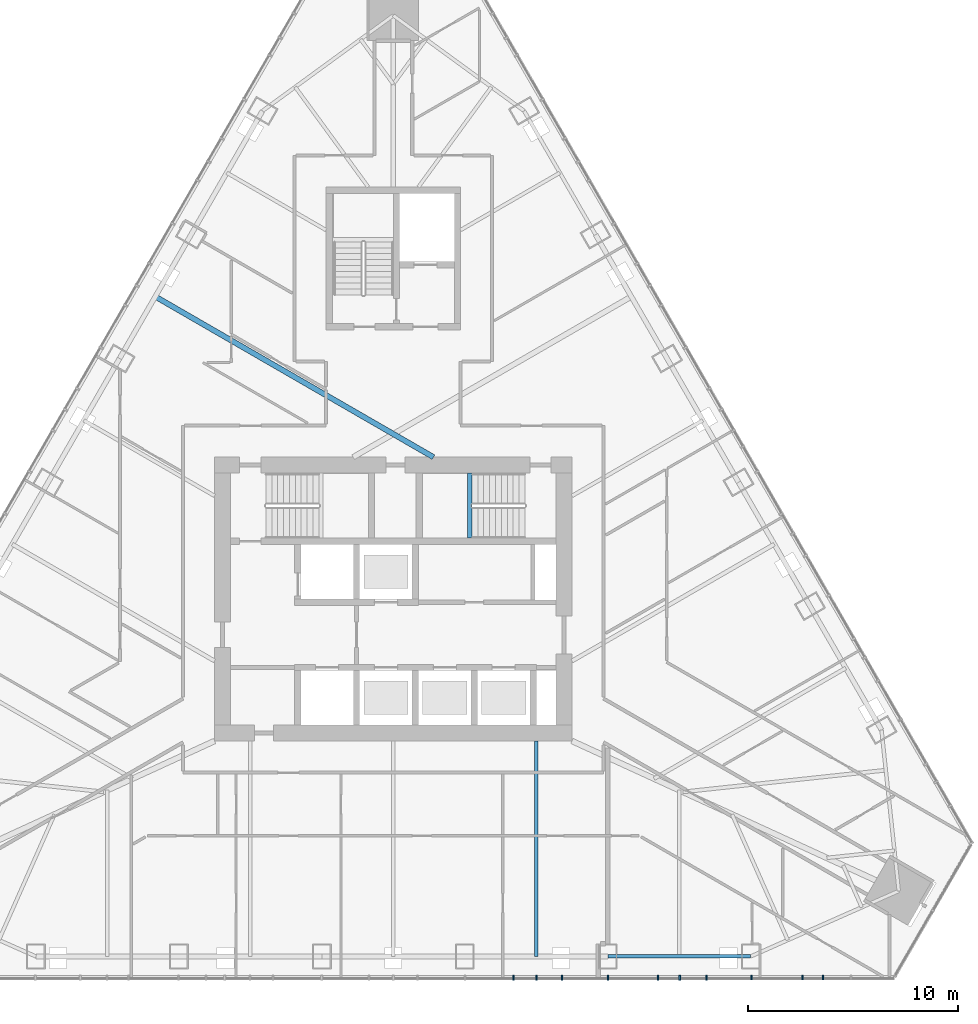
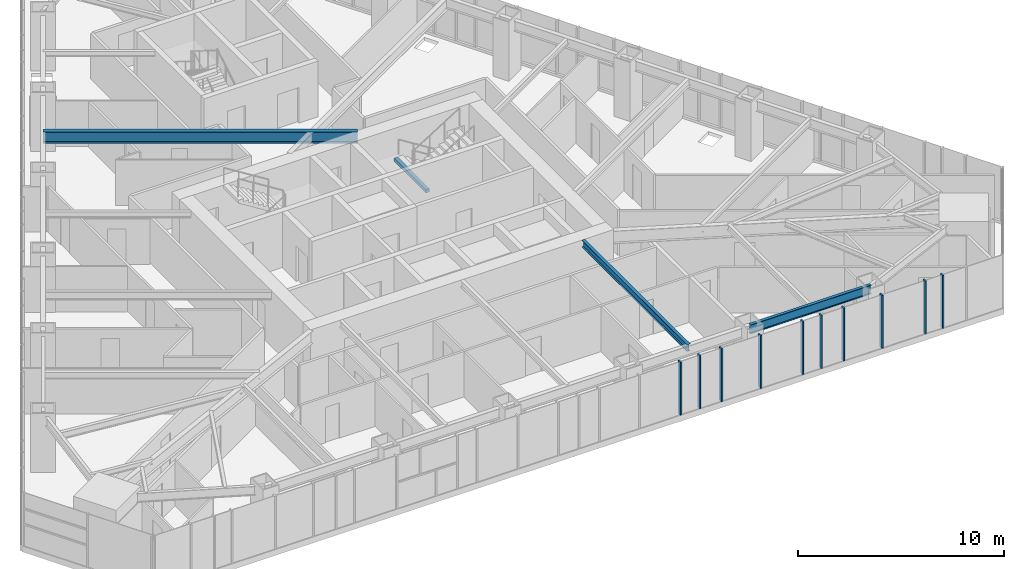
# One storey, part 6 of 19: 10 members, 4 beams, 1 element without a shape of its own.
"""IFC4 building model written with IfcOpenShell, lengths in metres."""

from ifc_helpers import new_model, si_unit, direction, frame, origin, origin_2d, place, context, subcontext, project, spatial, rectangle, i_section, extrude, material, layer, layer_set, material_profile, profile_set, type_object, element, aggregate, save


model = new_model("IFC4")

# Units and contexts
model_context = context("Model", 3, precision=1e-05, world=origin(), true_north=direction((0.0, 1.0)))
body_context = subcontext(model_context, "Body", "Model", "MODEL_VIEW")
ifc_project = project(units=[si_unit("LENGTHUNIT", "METRE"), si_unit("AREAUNIT", "SQUARE_METRE"), si_unit("VOLUMEUNIT", "CUBIC_METRE"), si_unit("PLANEANGLEUNIT", "RADIAN"), si_unit("MASSUNIT", "GRAM", prefix="KILO")], contexts=[model_context])

# Site, building, storey
site_placement = place(None, origin())
site = spatial("IfcSite", under=ifc_project, at=site_placement, CompositionType="ELEMENT")
building_placement = place(site_placement, origin())
building = spatial("IfcBuilding", under=site, at=building_placement, Name="Firuza Gate Tower and Library", CompositionType="ELEMENT")
storey_placement = place(building_placement, frame((0.0, 0.0, 256.60009765625)))
storey = spatial("IfcBuildingStorey", under=building, at=storey_placement, Name="L60", CompositionType="ELEMENT", Elevation=256.60009765625)

# Curtain wall, members
ifc_material_1 = material(Name="Aluminium 6063-T6", Category="aluminium")
ifc_layer = layer(ifc_material_1, 0.14990234375)
ifc_layer_set = layer_set([ifc_layer], Name="Unitised curtain wall, residences")
curtain_wall_type = type_object("IfcCurtainWallType", Name="Unitised curtain wall, residences", PredefinedType="NOTDEFINED", material=ifc_layer_set)
curtain_wall_placement = place(storey_placement, origin())
curtain_wall = element("IfcCurtainWall", 1, at=curtain_wall_placement, inside=storey, type_object=curtain_wall_type, Name="CW3 L60 S face", PredefinedType="NOTDEFINED")
ifc_material_2 = material(Name="Aluminium 6063-T6", Category="aluminium")
ifc_material_profile_1 = material_profile(ifc_material_2, rectangle(XDim=0.219970703125, YDim=0.080078125, at=origin_2d()))
ifc_profile_set_1 = profile_set([ifc_material_profile_1], Name="Aluminium 6063-T6")
member_type = type_object("IfcMemberType", Name="Curtain wall mullion 80x220", PredefinedType="MULLION", material=ifc_profile_set_1)
member_1_placement = place(storey_placement, frame((81.812255859375, 56.9921875, 0.14990234375), z_axis=(0.0, 0.0, 1.0), x_axis=(0.0, 1.0, 0.0)))
member_1 = element("IfcMember", 2, at=member_1_placement, type_object=member_type, Name="Mullion", PredefinedType="MULLION", context=body_context, shape_type="SweptSolid", body=[
    extrude(rectangle(XDim=0.219970703125, YDim=0.080078125, at=origin_2d()), origin(), (0.0, 0.0, 1.0), 3.14990234375),
])
member_2_placement = place(storey_placement, frame((85.218505859375, 56.9921875, 0.14990234375), z_axis=(0.0, 0.0, 1.0), x_axis=(0.0, 1.0, 0.0)))
member_2 = element("IfcMember", 3, at=member_2_placement, type_object=member_type, Name="Mullion", PredefinedType="MULLION", context=body_context, shape_type="SweptSolid", body=[
    extrude(rectangle(XDim=0.219970703125, YDim=0.080078125, at=origin_2d()), origin(), (0.0, 0.0, 1.0), 3.14990234375),
])
member_3_placement = place(storey_placement, frame((88.624755859375, 56.9921875, 0.14990234375), z_axis=(0.0, 0.0, 1.0), x_axis=(0.0, 1.0, 0.0)))
member_3 = element("IfcMember", 4, at=member_3_placement, type_object=member_type, Name="Mullion", PredefinedType="MULLION", context=body_context, shape_type="SweptSolid", body=[
    extrude(rectangle(XDim=0.219970703125, YDim=0.080078125, at=origin_2d()), origin(), (0.0, 0.0, 1.0), 3.14990234375),
])
member_4_placement = place(storey_placement, frame((92.031005859375, 56.9921875, 0.14990234375), z_axis=(0.0, 0.0, 1.0), x_axis=(0.0, 1.0, 0.0)))
member_4 = element("IfcMember", 5, at=member_4_placement, type_object=member_type, Name="Mullion", PredefinedType="MULLION", context=body_context, shape_type="SweptSolid", body=[
    extrude(rectangle(XDim=0.219970703125, YDim=0.080078125, at=origin_2d()), origin(), (0.0, 0.0, 1.0), 3.14990234375),
])
member_5_placement = place(storey_placement, frame((95.43701171875, 56.9921875, 0.14990234375), z_axis=(0.0, 0.0, 1.0), x_axis=(0.0, 1.0, 0.0)))
member_5 = element("IfcMember", 6, at=member_5_placement, type_object=member_type, Name="Mullion", PredefinedType="MULLION", context=body_context, shape_type="SweptSolid", body=[
    extrude(rectangle(XDim=0.219970703125, YDim=0.080078125, at=origin_2d()), origin(), (0.0, 0.0, 1.0), 3.14990234375),
])
member_6_placement = place(storey_placement, frame((80.7216796875, 56.9921875, 0.14990234375), z_axis=(0.0, 0.0, 1.0), x_axis=(0.0, 1.0, 0.0)))
member_6 = element("IfcMember", 7, at=member_6_placement, type_object=member_type, Name="Mullion", PredefinedType="MULLION", context=body_context, shape_type="SweptSolid", body=[
    extrude(rectangle(XDim=0.219970703125, YDim=0.080078125, at=origin_2d()), origin(), (0.0, 0.0, 1.0), 3.14990234375),
])
member_7_placement = place(storey_placement, frame((83.021240234375, 56.9921875, 0.14990234375), z_axis=(0.0, 0.0, 1.0), x_axis=(0.0, 1.0, 0.0)))
member_7 = element("IfcMember", 8, at=member_7_placement, type_object=member_type, Name="Mullion", PredefinedType="MULLION", context=body_context, shape_type="SweptSolid", body=[
    extrude(rectangle(XDim=0.219970703125, YDim=0.080078125, at=origin_2d()), origin(), (0.0, 0.0, 1.0), 3.14990234375),
])
member_8_placement = place(storey_placement, frame((87.593017578125, 56.9921875, 0.14990234375), z_axis=(0.0, 0.0, 1.0), x_axis=(0.0, 1.0, 0.0)))
member_8 = element("IfcMember", 9, at=member_8_placement, type_object=member_type, Name="Mullion", PredefinedType="MULLION", context=body_context, shape_type="SweptSolid", body=[
    extrude(rectangle(XDim=0.219970703125, YDim=0.080078125, at=origin_2d()), origin(), (0.0, 0.0, 1.0), 3.14990234375),
])
member_9_placement = place(storey_placement, frame((89.892578125, 56.9921875, 0.14990234375), z_axis=(0.0, 0.0, 1.0), x_axis=(0.0, 1.0, 0.0)))
member_9 = element("IfcMember", 10, at=member_9_placement, type_object=member_type, Name="Mullion", PredefinedType="MULLION", context=body_context, shape_type="SweptSolid", body=[
    extrude(rectangle(XDim=0.219970703125, YDim=0.080078125, at=origin_2d()), origin(), (0.0, 0.0, 1.0), 3.14990234375),
])
member_10_placement = place(storey_placement, frame((94.464599609375, 56.9921875, 0.14990234375), z_axis=(0.0, 0.0, 1.0), x_axis=(0.0, 1.0, 0.0)))
member_10 = element("IfcMember", 11, at=member_10_placement, type_object=member_type, Name="Mullion", PredefinedType="MULLION", context=body_context, shape_type="SweptSolid", body=[
    extrude(rectangle(XDim=0.219970703125, YDim=0.080078125, at=origin_2d()), origin(), (0.0, 0.0, 1.0), 3.14990234375),
])
aggregate(curtain_wall, [member_1, member_2, member_3, member_4, member_5, member_6, member_7, member_8, member_9, member_10])

# Beams
ifc_material_3 = material(Name="Concrete C35/45", Category="concrete")
ifc_material_profile_2 = material_profile(ifc_material_3, rectangle(XDim=0.199951171875, YDim=0.199951171875, at=origin_2d()))
ifc_profile_set_2 = profile_set([ifc_material_profile_2], Name="Concrete C35/45")
beam_type_1 = type_object("IfcBeamType", Name="Stair landing bearer 200x200", PredefinedType="BEAM", material=ifc_profile_set_2)
beam_1_placement = place(storey_placement, frame((78.639892578125, 81.0, 1.449951171875), z_axis=(0.0, -1.0, 0.0), x_axis=(1.0, 0.0, 0.0)))
element("IfcBeam", 12, at=beam_1_placement, inside=storey, type_object=beam_type_1, Name="Landing bearer L60 stair 2", PredefinedType="BEAM", context=body_context, shape_type="SweptSolid", body=[
    extrude(rectangle(XDim=0.199951171875, YDim=0.199951171875, at=origin_2d()), origin(), (0.0, 0.0, 1.0), 3.10009765625),
])
ifc_material_4 = material(Name="Steel S355", Category="steel")
ifc_material_profile_3 = material_profile(ifc_material_4, i_section(OverallWidth=0.177978515625, OverallDepth=0.406982421875, WebThickness=0.0078125, FlangeThickness=0.0126953125, at=origin_2d()))
ifc_profile_set_3 = profile_set([ifc_material_profile_3], Name="Steel S355")
beam_type_2 = type_object("IfcBeamType", Name="W410x60 Floor beam", PredefinedType="JOIST", material=ifc_profile_set_3)
beam_2_placement = place(storey_placement, frame((81.800048828125, 58.002197265625, 3.096435546875), z_axis=(0.0, 1.0, 0.0), x_axis=(-1.0, 0.0, 0.0)))
element("IfcBeam", 13, at=beam_2_placement, inside=storey, type_object=beam_type_2, Name="Floor beam L60 s23", PredefinedType="JOIST", context=body_context, shape_type="SweptSolid", body=[
    extrude(i_section(OverallWidth=0.177978515625, OverallDepth=0.406982421875, WebThickness=0.0078125, FlangeThickness=0.0126953125, at=origin_2d()), origin(), (0.0, 0.0, 1.0), 10.247802734375),
])
ifc_material_5 = material(Name="Steel S355", Category="steel")
ifc_material_profile_4 = material_profile(ifc_material_5, i_section(OverallWidth=0.166015625, OverallDepth=0.534912109375, WebThickness=0.01025390625, FlangeThickness=0.0166015625, at=origin_2d()))
ifc_profile_set_4 = profile_set([ifc_material_profile_4], Name="Steel S355")
beam_type_3 = type_object("IfcBeamType", Name="W530x85 Edge beam", PredefinedType="SPANDREL", material=ifc_profile_set_4)
beam_3_placement = place(storey_placement, frame((85.199951171875, 58.002197265625, 3.032470703125), z_axis=(1.0, 0.0, 0.0), x_axis=(0.0, 1.0, 0.0)))
element("IfcBeam", 14, at=beam_3_placement, inside=storey, type_object=beam_type_3, Name="Edge beam L60 e24", PredefinedType="SPANDREL", context=body_context, shape_type="SweptSolid", body=[
    extrude(i_section(OverallWidth=0.166015625, OverallDepth=0.534912109375, WebThickness=0.01025390625, FlangeThickness=0.0166015625, at=origin_2d()), origin(), (0.0, 0.0, 1.0), 6.800048828125),
])
ifc_material_6 = material(Name="Steel S355", Category="steel")
ifc_material_profile_5 = material_profile(ifc_material_6, i_section(OverallWidth=0.2529296875, OverallDepth=0.677978515625, WebThickness=0.01171875, FlangeThickness=0.016357421875, at=origin_2d()))
ifc_profile_set_5 = profile_set([ifc_material_profile_5], Name="Steel S355")
beam_type_4 = type_object("IfcBeamType", Name="W690x125 Floor beam", PredefinedType="JOIST", material=ifc_profile_set_5)
beam_4_placement = place(storey_placement, frame((63.679443359375, 89.387939453125, 2.9609375), z_axis=(0.866024566659, -0.500001449941, 0.0), x_axis=(0.500001449941, 0.866024566659, 0.0)))
element("IfcBeam", 15, at=beam_4_placement, inside=storey, type_object=beam_type_4, Name="Floor beam L60 s81", PredefinedType="JOIST", context=body_context, shape_type="SweptSolid", body=[
    extrude(i_section(OverallWidth=0.2529296875, OverallDepth=0.677978515625, WebThickness=0.01171875, FlangeThickness=0.016357421875, at=origin_2d()), origin(), (0.0, 0.0, 1.0), 15.27587890625),
])

save(model, "model.ifc")
